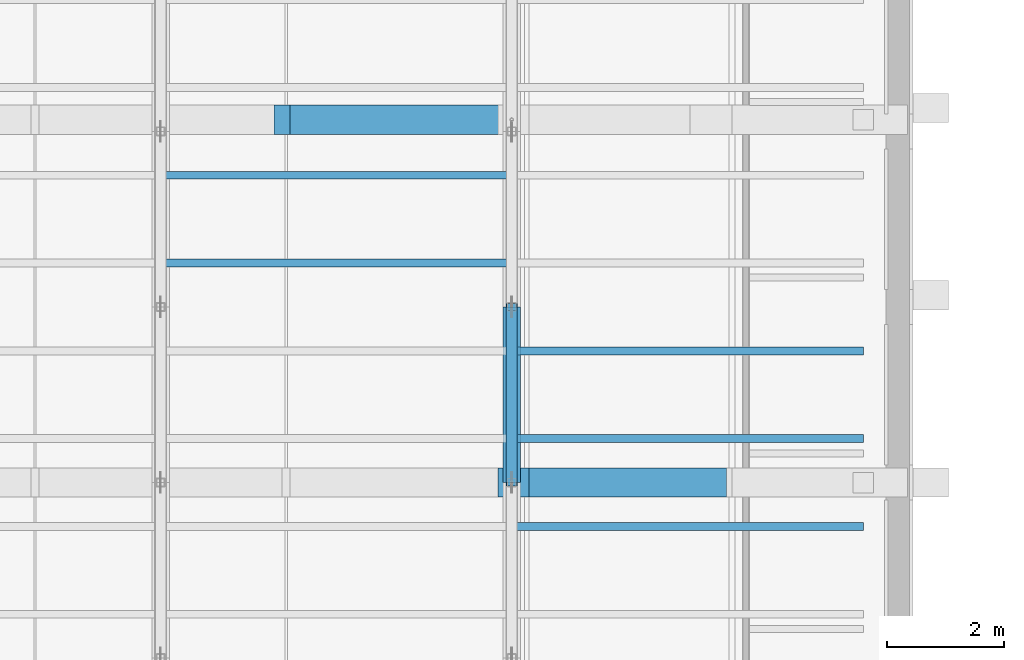
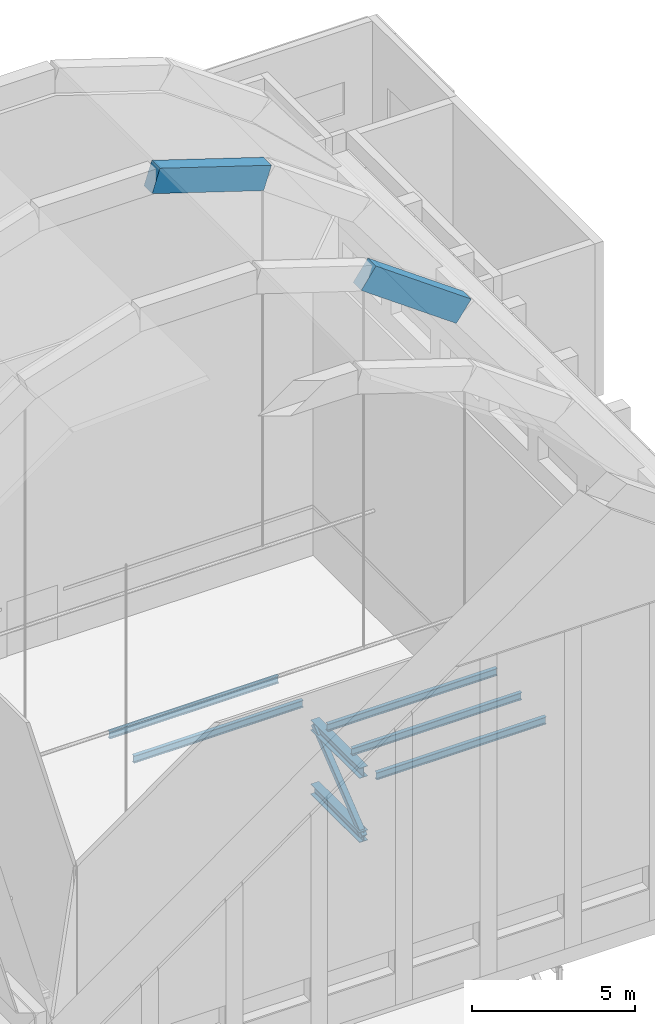
# One storey, part 25 of 55: 7 beams, 3 members.
"""IFC4 building model written with IfcOpenShell, lengths in metres."""

from ifc_helpers import new_model, si_unit, direction, frame, origin, origin_2d, place, context, subcontext, project, spatial, rectangle, hollow_rectangle, i_section, extrude, material, material_profile, profile_set, type_object, element, save


model = new_model("IFC4")

# Units and contexts
model_context = context("Model", 3, precision=1e-05, world=origin(), true_north=direction((0.0, 1.0)))
body_context = subcontext(model_context, "Body", "Model", "MODEL_VIEW")
ifc_project = project(units=[si_unit("LENGTHUNIT", "METRE"), si_unit("AREAUNIT", "SQUARE_METRE"), si_unit("VOLUMEUNIT", "CUBIC_METRE"), si_unit("PLANEANGLEUNIT", "RADIAN"), si_unit("MASSUNIT", "GRAM", prefix="KILO")], contexts=[model_context])

# Site, building, storey
site_placement = place(None, origin())
site = spatial("IfcSite", under=ifc_project, at=site_placement, CompositionType="ELEMENT")
building_placement = place(site_placement, origin())
building = spatial("IfcBuilding", under=site, at=building_placement, Name="Lunette Opera House", CompositionType="ELEMENT")
storey_placement = place(building_placement, frame((0.0, 0.0, 34.0)))
storey = spatial("IfcBuildingStorey", under=building, at=storey_placement, Name="L06", CompositionType="ELEMENT", Elevation=34.0)

# Beams
ifc_material_1 = material(Name="Concrete C40/50", Category="concrete")
ifc_material_profile_1 = material_profile(ifc_material_1, rectangle(XDim=0.5, YDim=0.89990234375, at=origin_2d()), Name="ARCH BEAM 500X900")
ifc_profile_set_1 = profile_set([ifc_material_profile_1], Name="Concrete C40/50")
beam_type_1 = type_object("IfcBeamType", Name="ARCH BEAM 500X900", PredefinedType="BEAM", material=ifc_profile_set_1)
beam_1_placement = place(storey_placement, frame((102.031005859375, 108.0, 17.98193359375), z_axis=(0.81279485596, 0.0, -0.582550016844), x_axis=(0.0, 1.0, 0.0)))
element("IfcBeam", 1, at=beam_1_placement, inside=storey, type_object=beam_type_1, Name="beam-ST-L06-EAT3-6", PredefinedType="BEAM", context=body_context, shape_type="SweptSolid", body=[
    extrude(rectangle(XDim=0.5, YDim=0.89990234375, at=origin_2d()), origin(), (0.0, 0.0, 1.0), 4.15234375),
])
beam_2_placement = place(storey_placement, frame((98.075927734375, 114.199951171875, 19.251953125), z_axis=(0.952116578893, 0.0, -0.305735212556), x_axis=(0.0, 1.0, 0.0)))
element("IfcBeam", 2, at=beam_2_placement, inside=storey, type_object=beam_type_1, Name="beam-ST-L06-EAT4-5", PredefinedType="BEAM", context=body_context, shape_type="SweptSolid", body=[
    extrude(rectangle(XDim=0.5, YDim=0.89990234375, at=origin_2d()), origin(), (0.0, 0.0, 1.0), 4.154052734375),
])

# Members
ifc_material_2 = material(Name="Steel S355", Category="steel")
ifc_material_profile_2 = material_profile(ifc_material_2, i_section(OverallWidth=0.300048828125, OverallDepth=0.389892578125, WebThickness=0.010986328125, FlangeThickness=0.01904296875, FilletRadius=0.027099609375, at=origin_2d()), Name="HEA 400")
ifc_profile_set_2 = profile_set([ifc_material_profile_2], Name="Steel S355")
member_type_1 = type_object("IfcMemberType", Name="CHORD HEA 400", PredefinedType="CHORD", material=ifc_profile_set_2)
for number, where, z_axis, x_axis, name in (
    (3, (102.0, 108.0, -0.6650390625), (0.0, 1.0, 0.0), (-1.0, 0.0, 0.0), "mem-ST-L06-ST-TR03-TC5"),
    (4, (102.0, 108.0, -3.06494140625), (0.0, 1.0, 0.0), (-1.0, 0.0, 0.0), "mem-ST-L06-ST-TR03-BC5"),
):
    element("IfcMember", number, at=place(storey_placement, frame(where, z_axis=z_axis, x_axis=x_axis)), inside=storey, type_object=member_type_1, Name=name, PredefinedType="CHORD", context=body_context, shape_type="SweptSolid", body=[
        extrude(i_section(OverallWidth=0.300048828125, OverallDepth=0.389892578125, WebThickness=0.010986328125, FlangeThickness=0.01904296875, FilletRadius=0.027099609375, at=origin_2d()), origin(), (0.0, 0.0, 1.0), 3.0),
    ])
ifc_material_3 = material(Name="Steel S355", Category="steel")
ifc_material_profile_3 = material_profile(ifc_material_3, hollow_rectangle(XDim=0.199951171875, YDim=0.199951171875, WallThickness=0.008056640625, InnerFilletRadius=0.008056640625, OuterFilletRadius=0.01611328125, at=origin_2d()), Name="RHS 200X200X8")
ifc_profile_set_3 = profile_set([ifc_material_profile_3], Name="Steel S355")
member_type_2 = type_object("IfcMemberType", Name="DIAGONAL RHS 200X200X8", PredefinedType="BRACE", material=ifc_profile_set_3)
member_placement = place(storey_placement, frame((102.0, 108.0, -3.06494140625), z_axis=(0.0, 0.780881208953, 0.624679547852), x_axis=(-1.0, 0.0, 0.0)))
element("IfcMember", 5, at=member_placement, inside=storey, type_object=member_type_2, Name="mem-ST-L06-ST-TR03-TD5", PredefinedType="BRACE", context=body_context, shape_type="SweptSolid", body=[
    extrude(hollow_rectangle(XDim=0.199951171875, YDim=0.199951171875, WallThickness=0.008056640625, InnerFilletRadius=0.008056640625, OuterFilletRadius=0.01611328125, at=origin_2d()), origin(), (0.0, 0.0, 1.0), 3.841796875),
])

# Beams
ifc_material_4 = material(Name="Steel S355", Category="steel")
ifc_material_profile_4 = material_profile(ifc_material_4, i_section(OverallWidth=0.135009765625, OverallDepth=0.27001953125, WebThickness=0.006591796875, FlangeThickness=0.01025390625, FilletRadius=0.014892578125, at=origin_2d()), Name="IPE 270")
ifc_profile_set_4 = profile_set([ifc_material_profile_4], Name="Steel S355")
beam_type_2 = type_object("IfcBeamType", Name="STEEL BEAM IPE 270", PredefinedType="BEAM", material=ifc_profile_set_4)
for number, where, z_axis, x_axis, name in (
    (6, (102.0, 107.25, -0.3349609375), (1.0, 0.0, 0.0), (0.0, 1.0, 0.0), "beam-ST-L06-GRID-10725-4"),
    (7, (102.0, 108.75, -0.3349609375), (1.0, 0.0, 0.0), (0.0, 1.0, 0.0), "beam-ST-L06-GRID-10875-4"),
    (8, (102.0, 110.25, -0.3349609375), (1.0, 0.0, 0.0), (0.0, 1.0, 0.0), "beam-ST-L06-GRID-11025-4"),
):
    element("IfcBeam", number, at=place(storey_placement, frame(where, z_axis=z_axis, x_axis=x_axis)), inside=storey, type_object=beam_type_2, Name=name, PredefinedType="BEAM", context=body_context, shape_type="SweptSolid", body=[
        extrude(i_section(OverallWidth=0.135009765625, OverallDepth=0.27001953125, WebThickness=0.006591796875, FlangeThickness=0.01025390625, FilletRadius=0.014892578125, at=origin_2d()), origin(), (0.0, 0.0, 1.0), 6.010009765625),
    ])
for number, where, z_axis, x_axis, name in (
    (9, (96.0, 111.75, -0.3349609375), (1.0, 0.0, 0.0), (0.0, 1.0, 0.0), "beam-ST-L06-GRID-11175-3"),
    (10, (96.0, 113.25, -0.3349609375), (1.0, 0.0, 0.0), (0.0, 1.0, 0.0), "beam-ST-L06-GRID-11325-3"),
):
    element("IfcBeam", number, at=place(storey_placement, frame(where, z_axis=z_axis, x_axis=x_axis)), inside=storey, type_object=beam_type_2, Name=name, PredefinedType="BEAM", context=body_context, shape_type="SweptSolid", body=[
        extrude(i_section(OverallWidth=0.135009765625, OverallDepth=0.27001953125, WebThickness=0.006591796875, FlangeThickness=0.01025390625, FilletRadius=0.014892578125, at=origin_2d()), origin(), (0.0, 0.0, 1.0), 6.0),
    ])

save(model, "model.ifc")
